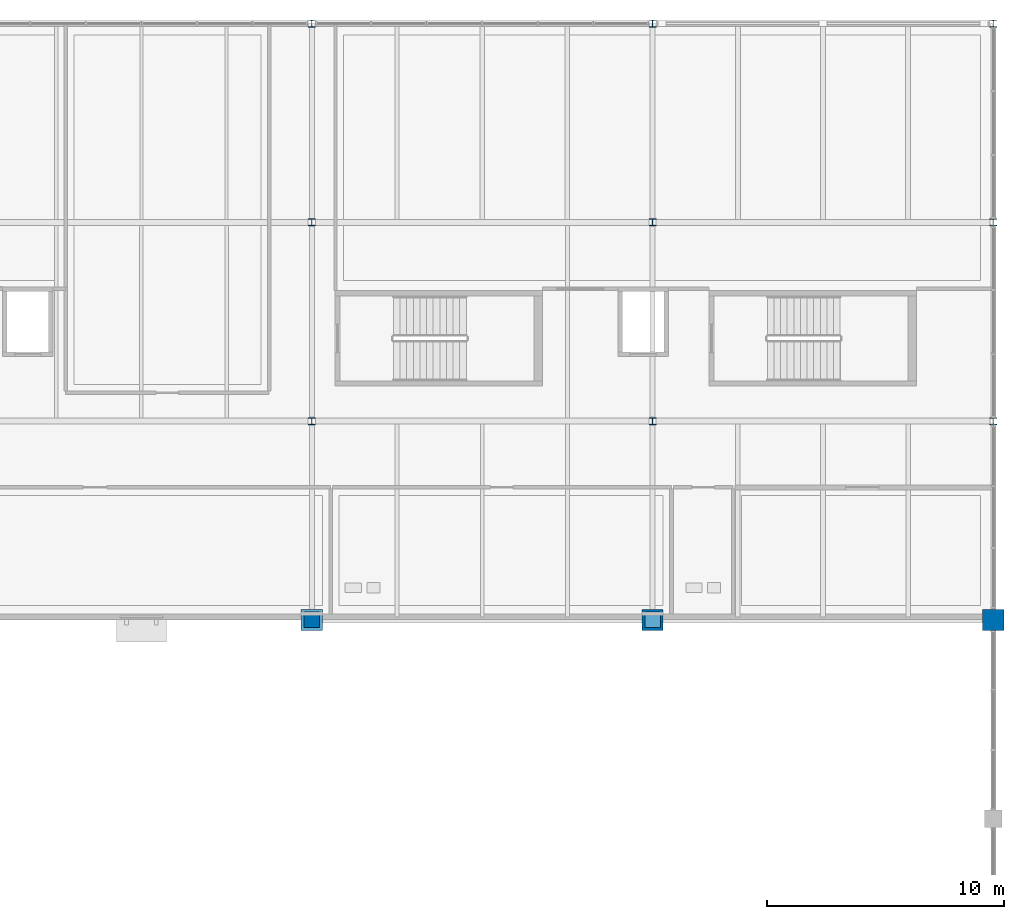
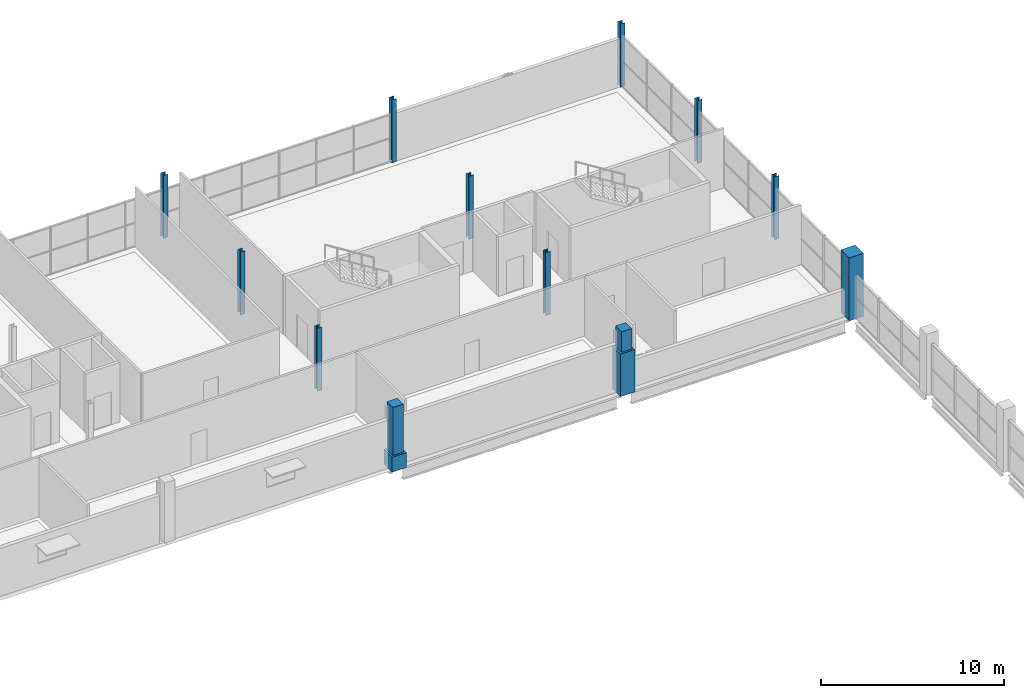
# One storey, part 6 of 68: 14 columns.
"""IFC4 building model written with IfcOpenShell, lengths in metres."""

from ifc_helpers import new_model, si_unit, direction, frame, origin, origin_2d, place, context, subcontext, project, spatial, rectangle, i_section, extrude, material, material_profile, profile_set, type_object, element, save


model = new_model("IFC4")

# Units and contexts
model_context = context("Model", 3, precision=1e-05, world=origin(), true_north=direction((0.0, 1.0)))
body_context = subcontext(model_context, "Body", "Model", "MODEL_VIEW")
ifc_project = project(units=[si_unit("LENGTHUNIT", "METRE"), si_unit("AREAUNIT", "SQUARE_METRE"), si_unit("VOLUMEUNIT", "CUBIC_METRE"), si_unit("PLANEANGLEUNIT", "RADIAN"), si_unit("MASSUNIT", "GRAM", prefix="KILO"), si_unit("THERMODYNAMICTEMPERATUREUNIT", "KELVIN")], contexts=[model_context])

# Site, building, storey
site_placement = place(None, origin())
site = spatial("IfcSite", under=ifc_project, at=site_placement, CompositionType="ELEMENT")
building_placement = place(site_placement, origin())
building = spatial("IfcBuilding", under=site, at=building_placement, Name="Nduvali Passage Aquatics Centre", CompositionType="ELEMENT")
storey_placement = place(building_placement, frame((0.0, 0.0, 13.199951171875)))
storey = spatial("IfcBuildingStorey", under=building, at=storey_placement, Name="L03", CompositionType="ELEMENT", Elevation=13.199951171875)

# Columns
ifc_material_1 = material(Name="Steel S355", Category="steel")
ifc_material_profile_1 = material_profile(ifc_material_1, i_section(OverallWidth=0.300048828125, OverallDepth=0.300048828125, WebThickness=0.010986328125, FlangeThickness=0.01904296875, FilletRadius=0.027099609375, at=origin_2d()), Name="HEB 300")
ifc_profile_set_1 = profile_set([ifc_material_profile_1], Name="Steel S355")
column_type_1 = type_object("IfcColumnType", Name="STR-COL-HEB300", PredefinedType="COLUMN", material=ifc_profile_set_1)
for number, where, z_axis, x_axis, name in (
    (1, (97.199951171875, 100.800048828125, 0.0), (0.0, 0.0, 1.0), (1.0, 0.0, 0.0), "L03 Column C8 (97.2, 100.8)"),
    (2, (97.199951171875, 109.199951171875, 0.0), (0.0, 0.0, 1.0), (1.0, 0.0, 0.0), "L03 Column C8 (97.2, 109.2)"),
    (3, (111.60009765625, 100.800048828125, 0.0), (0.0, 0.0, 1.0), (1.0, 0.0, 0.0), "L03 Column C8 (111.6, 100.8)"),
    (4, (111.60009765625, 109.199951171875, 0.0), (0.0, 0.0, 1.0), (1.0, 0.0, 0.0), "L03 Column C8 (111.6, 109.2)"),
):
    element("IfcColumn", number, at=place(storey_placement, frame(where, z_axis=z_axis, x_axis=x_axis)), inside=storey, type_object=column_type_1, Name=name, PredefinedType="COLUMN", context=body_context, shape_type="SweptSolid", body=[
        extrude(i_section(OverallWidth=0.300048828125, OverallDepth=0.300048828125, WebThickness=0.010986328125, FlangeThickness=0.01904296875, FilletRadius=0.027099609375, at=origin_2d()), origin(), (0.0, 0.0, 1.0), 4.199951171875),
    ])
ifc_material_profile_2 = material_profile(ifc_material_1, i_section(OverallWidth=0.300048828125, OverallDepth=0.300048828125, WebThickness=0.010986328125, FlangeThickness=0.01904296875, FilletRadius=0.027099609375, at=origin_2d()), Name="HEB 300")
ifc_profile_set_2 = profile_set([ifc_material_profile_2], Name="Steel S355")
column_type_2 = type_object("IfcColumnType", Name="STR-COL-HEB300-EXT", PredefinedType="COLUMN", material=ifc_profile_set_2)
for number, where, z_axis, x_axis, name in (
    (5, (97.199951171875, 117.60009765625, 0.0), (0.0, 0.0, 1.0), (1.0, 0.0, 0.0), "L03 Column C8E (97.2, 117.6)"),
    (6, (111.60009765625, 117.60009765625, 0.0), (0.0, 0.0, 1.0), (1.0, 0.0, 0.0), "L03 Column C8E (111.6, 117.6)"),
    (7, (126.0, 100.800048828125, 0.0), (0.0, 0.0, 1.0), (1.0, 0.0, 0.0), "L03 Column C8E (126.0, 100.8)"),
    (8, (126.0, 109.199951171875, 0.0), (0.0, 0.0, 1.0), (1.0, 0.0, 0.0), "L03 Column C8E (126.0, 109.2)"),
    (9, (126.0, 117.60009765625, 0.0), (0.0, 0.0, 1.0), (1.0, 0.0, 0.0), "L03 Column C8E (126.0, 117.6)"),
):
    element("IfcColumn", number, at=place(storey_placement, frame(where, z_axis=z_axis, x_axis=x_axis)), inside=storey, type_object=column_type_2, Name=name, PredefinedType="COLUMN", context=body_context, shape_type="SweptSolid", body=[
        extrude(i_section(OverallWidth=0.300048828125, OverallDepth=0.300048828125, WebThickness=0.010986328125, FlangeThickness=0.01904296875, FilletRadius=0.027099609375, at=origin_2d()), origin(), (0.0, 0.0, 1.0), 4.199951171875),
    ])
ifc_material_2 = material(Name="Concrete C40/50", Category="concrete")
ifc_material_profile_3 = material_profile(ifc_material_2, rectangle(XDim=0.64990234375, YDim=0.64990234375, at=origin_2d()), Name="RC 650x650")
ifc_profile_set_3 = profile_set([ifc_material_profile_3], Name="Concrete C40/50")
column_type_3 = type_object("IfcColumnType", Name="STR-COL-RC650-EXT", PredefinedType="COLUMN", material=ifc_profile_set_3)
column_1_placement = place(storey_placement, frame((97.199951171875, 92.39990234375, 0.99365234375), z_axis=(0.0, 0.0, 1.0), x_axis=(1.0, 0.0, 0.0)))
element("IfcColumn", 10, at=column_1_placement, inside=storey, type_object=column_type_3, Name="L03 Column C3E (97.2, 92.4)", PredefinedType="COLUMN", context=body_context, shape_type="SweptSolid", body=[
    extrude(rectangle(XDim=0.64990234375, YDim=0.64990234375, at=origin_2d()), origin(), (0.0, 0.0, 1.0), 3.206298828125),
])
column_2_placement = place(storey_placement, frame((111.60009765625, 92.39990234375, 2.829345703125), z_axis=(0.0, 0.0, 1.0), x_axis=(1.0, 0.0, 0.0)))
element("IfcColumn", 11, at=column_2_placement, inside=storey, type_object=column_type_3, Name="L03 Column C3E (111.6, 92.4)", PredefinedType="COLUMN", context=body_context, shape_type="SweptSolid", body=[
    extrude(rectangle(XDim=0.64990234375, YDim=0.64990234375, at=origin_2d()), origin(), (0.0, 0.0, 1.0), 1.37060546875),
])
ifc_material_profile_4 = material_profile(ifc_material_2, rectangle(XDim=0.89990234375, YDim=0.89990234375, at=origin_2d()), Name="RC 900x900")
ifc_profile_set_4 = profile_set([ifc_material_profile_4], Name="Concrete C40/50")
column_type_4 = type_object("IfcColumnType", Name="STR-COL-RC900-EXT", PredefinedType="COLUMN", material=ifc_profile_set_4)
column_3_placement = place(storey_placement, frame((97.199951171875, 92.39990234375, 0.0), z_axis=(0.0, 0.0, 1.0), x_axis=(1.0, 0.0, 0.0)))
element("IfcColumn", 12, at=column_3_placement, inside=storey, type_object=column_type_4, Name="L03 Column C1E (97.2, 92.4)", PredefinedType="COLUMN", context=body_context, shape_type="SweptSolid", body=[
    extrude(rectangle(XDim=0.89990234375, YDim=0.89990234375, at=origin_2d()), origin(), (0.0, 0.0, 1.0), 0.99365234375),
])
column_4_placement = place(storey_placement, frame((111.60009765625, 92.39990234375, 0.0), z_axis=(0.0, 0.0, 1.0), x_axis=(1.0, 0.0, 0.0)))
element("IfcColumn", 13, at=column_4_placement, inside=storey, type_object=column_type_4, Name="L03 Column C1E (111.6, 92.4)", PredefinedType="COLUMN", context=body_context, shape_type="SweptSolid", body=[
    extrude(rectangle(XDim=0.89990234375, YDim=0.89990234375, at=origin_2d()), origin(), (0.0, 0.0, 1.0), 2.829345703125),
])
column_5_placement = place(storey_placement, frame((126.0, 92.39990234375, 0.0), z_axis=(0.0, 0.0, 1.0), x_axis=(1.0, 0.0, 0.0)))
element("IfcColumn", 14, at=column_5_placement, inside=storey, type_object=column_type_4, Name="L03 Column C1E (126.0, 92.4)", PredefinedType="COLUMN", context=body_context, shape_type="SweptSolid", body=[
    extrude(rectangle(XDim=0.89990234375, YDim=0.89990234375, at=origin_2d()), origin(), (0.0, 0.0, 1.0), 4.199951171875),
])

save(model, "model.ifc")
